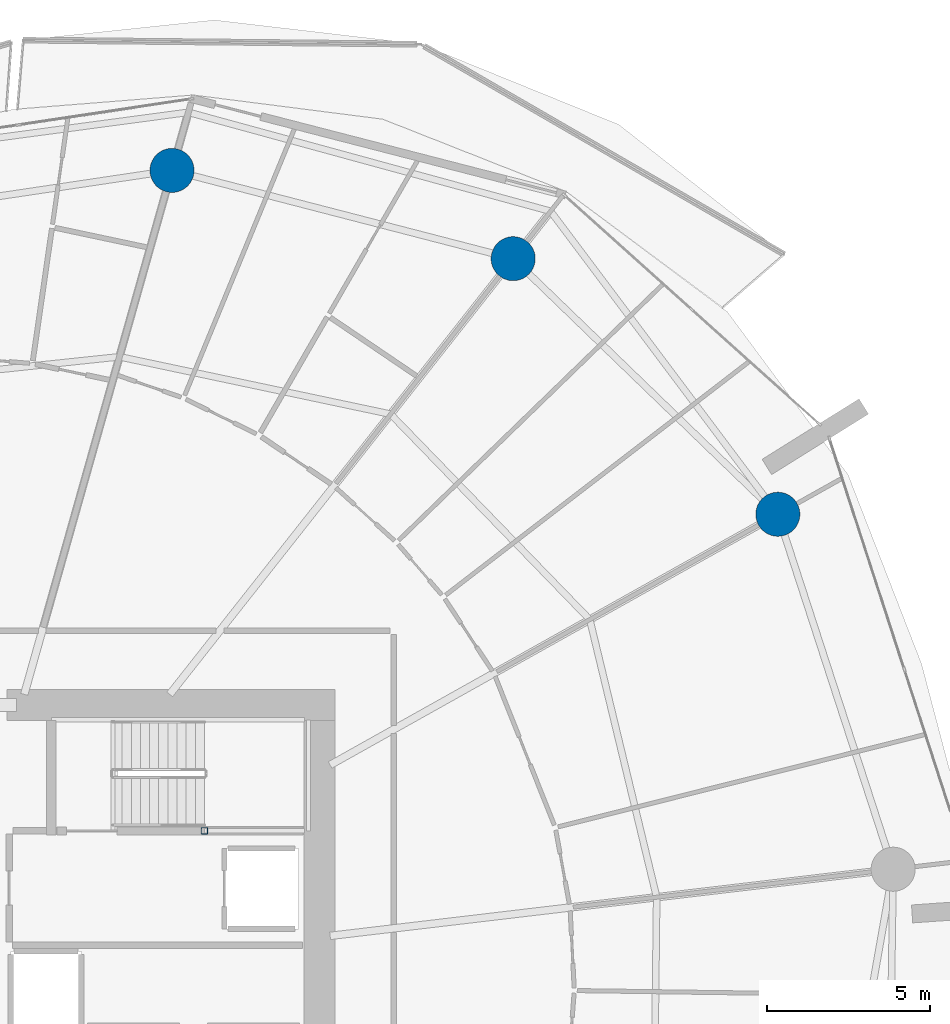
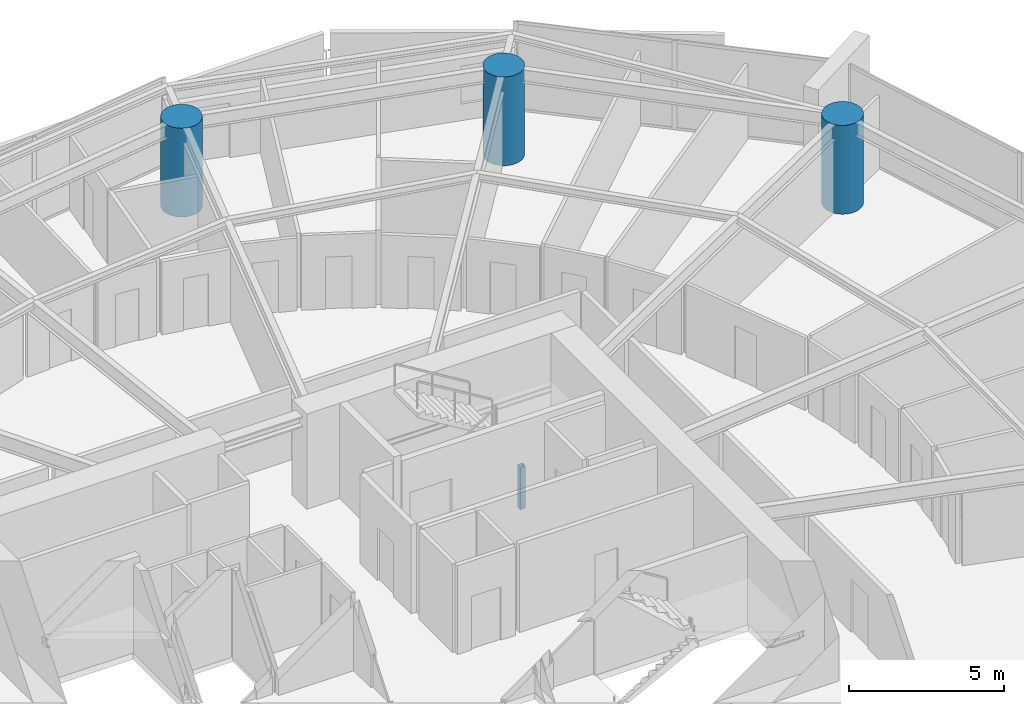
# One storey, part 5 of 31: 4 columns.
"""IFC4 building model written with IfcOpenShell, lengths in metres."""

import ifcopenshell
import ifcopenshell.guid

model = None  # the IFC model being written
_history = None  # IfcOwnerHistory: only IFC2X3 demands one
_inside = {}  # id of a spatial element -> (the spatial element, [elements in it])
_under = {}  # id of a project, library or spatial element -> (it, [spatial elements below it])
_declared = {}  # id of a project -> (the project, [libraries it declares])
_typed = {}  # id of a type object -> (the type object, [elements of that type])
_made_of = {}  # id of a material, layer set ... -> (it, [elements and type objects made of it])


def new_model(schema):
    """Start an empty IFC model of exactly this schema.

    Asked for "IFC4X3", IfcOpenShell would pick the latest addendum, in which some entities
    have other attributes; the version numbers below select the first issue.
    IFC2X3 requires an IfcOwnerHistory on every rooted entity: one is made here for all.
    """
    global model, _history
    if schema == "IFC4X3":
        model = ifcopenshell.file(schema_version=(4, 3, 0, 0))
    else:
        model = ifcopenshell.file(schema=schema)
    _inside.clear()
    _under.clear()
    _declared.clear()
    _typed.clear()
    _made_of.clear()
    _history = None
    if model.schema == "IFC2X3":
        org = make("IfcOrganization", Name="unknown")
        user = make(
            "IfcPersonAndOrganization",
            ThePerson=make("IfcPerson", FamilyName="unknown"),
            TheOrganization=org,
        )
        app = make(
            "IfcApplication",
            ApplicationDeveloper=org,
            Version="unknown",
            ApplicationFullName="unknown",
            ApplicationIdentifier="unknown",
        )
        _history = make(
            "IfcOwnerHistory",
            OwningUser=user,
            OwningApplication=app,
            ChangeAction="ADDED",
            CreationDate=0,
        )
    return model


def make(cls, **values):
    """One entity of the class cls with the attributes given. An attribute that is None is left unset."""
    return model.create_entity(
        cls, **{name: value for name, value in values.items() if value is not None}
    )


def rooted(cls, **values):
    """An entity with a GlobalId (a new one), such as an element, a storey or a relation."""
    return make(cls, GlobalId=ifcopenshell.guid.new(), OwnerHistory=_history, **values)


def si_unit(unit_type, name, prefix=None):
    """IfcSIUnit, for example si_unit("LENGTHUNIT", "METRE", prefix="MILLI")."""
    return make("IfcSIUnit", UnitType=unit_type, Prefix=prefix, Name=name)


def assignment(units):
    """IfcUnitAssignment: the units of a project."""
    return None if units is None else make("IfcUnitAssignment", Units=units)


def point(xyz):
    """IfcCartesianPoint."""
    return None if xyz is None else make("IfcCartesianPoint", Coordinates=xyz)


def direction(xyz):
    """IfcDirection."""
    return None if xyz is None else make("IfcDirection", DirectionRatios=xyz)


def frame(location, z_axis=None, x_axis=None):
    """IfcAxis2Placement3D, a coordinate frame: its origin and axes. An axis left out is left unset."""
    return make(
        "IfcAxis2Placement3D",
        Location=point(location),
        Axis=direction(z_axis),
        RefDirection=direction(x_axis),
    )


def frame_2d(location, x_axis=None):
    """IfcAxis2Placement2D, a coordinate frame in the plane: its origin and x axis."""
    return make(
        "IfcAxis2Placement2D", Location=point(location), RefDirection=direction(x_axis)
    )


def origin():
    """The frame at (0, 0, 0) with its axes left unset."""
    return frame((0.0, 0.0, 0.0))


def origin_2d():
    """The frame at (0, 0) in the plane with its x axis left unset."""
    return frame_2d((0.0, 0.0))


def place(relative_to, where):
    """IfcLocalPlacement: puts the frame where relative to a parent placement (None: the world)."""
    return make(
        "IfcLocalPlacement", PlacementRelTo=relative_to, RelativePlacement=where
    )


def context(
    kind, dimensions, precision=None, world=None, true_north=None, identifier=None
):
    """IfcGeometricRepresentationContext, for example the 3D "Model" context."""
    return make(
        "IfcGeometricRepresentationContext",
        ContextIdentifier=identifier,
        ContextType=kind,
        CoordinateSpaceDimension=dimensions,
        Precision=precision,
        WorldCoordinateSystem=world,
        TrueNorth=true_north,
    )


def subcontext(parent, identifier, kind, view, scale=None):
    """IfcGeometricRepresentationSubContext, for example "Body" below "Model"."""
    return make(
        "IfcGeometricRepresentationSubContext",
        ContextIdentifier=identifier,
        ContextType=kind,
        ParentContext=parent,
        TargetScale=scale,
        TargetView=view,
    )


def project(units=None, contexts=None):
    """IfcProject with its units and contexts."""
    return rooted(
        "IfcProject",
        Name="project",
        RepresentationContexts=contexts,
        UnitsInContext=assignment(units),
    )


def spatial(cls, under=None, at=None, **own):
    """A site, building, storey or space (cls), placed at a placement, below another one or the project."""
    s = rooted(cls, ObjectPlacement=at, **own)
    if under is not None:
        _under.setdefault(under.id(), (under, []))[1].append(s)
    return s


def profile(cls, at=None, kind="AREA", **sizes):
    """A parametric profile (cls). Its sizes go by their IFC names, for example OverallWidth=200.0."""
    return make(cls, ProfileType=kind, Position=at, **sizes)


def hollow_rectangle(**sizes):
    """IfcRectangleHollowProfileDef."""
    return profile("IfcRectangleHollowProfileDef", **sizes)


def circle(**sizes):
    """IfcCircleProfileDef."""
    return profile("IfcCircleProfileDef", **sizes)


def extrude(swept, where, along, depth):
    """IfcExtrudedAreaSolid: the profile swept, set in the frame where, extruded along a direction by depth."""
    return make(
        "IfcExtrudedAreaSolid",
        SweptArea=swept,
        Position=where,
        ExtrudedDirection=direction(along),
        Depth=depth,
    )


def shape(context_of_items, identifier, shape_type, items):
    """IfcShapeRepresentation: the items that make up one representation, for example the "Body"."""
    return make(
        "IfcShapeRepresentation",
        ContextOfItems=context_of_items,
        RepresentationIdentifier=identifier,
        RepresentationType=shape_type,
        Items=items,
    )


def material(Name=None, Category=None):
    """IfcMaterial."""
    return make("IfcMaterial", Name=Name, Category=Category)


def material_profile(
    of_material, cross_section, Name=None, Category=None, Priority=None
):
    """IfcMaterialProfile: a cross section and its material."""
    return make(
        "IfcMaterialProfile",
        Name=Name,
        Material=of_material,
        Profile=cross_section,
        Priority=Priority,
        Category=Category,
    )


def profile_set(profiles, Name=None, composite=None):
    """IfcMaterialProfileSet."""
    return make(
        "IfcMaterialProfileSet",
        Name=Name,
        MaterialProfiles=profiles,
        CompositeProfile=composite,
    )


def made_of(thing, what):
    """Note that an element or type object is made of a material, layer set ...; save() writes the relation."""
    if what is not None:
        _made_of.setdefault(what.id(), (what, []))[1].append(thing)
    return thing


def type_object(cls, material=None, **own):
    """A type object (cls), such as IfcWallType, which elements share."""
    return made_of(rooted(cls, **own), material)


def element(
    cls,
    number,
    at=None,
    inside=None,
    cuts=None,
    type_object=None,
    material=None,
    context=None,
    identifier="Body",
    shape_type=None,
    held_by="IfcProductDefinitionShape",
    body=None,
    shapes=None,
    **own,
):
    """One element of the class cls, such as IfcWall. Its Tag is "e" and its number.

    at: its placement. inside: the storey or other place that contains it. cuts: it is an
    opening in that element (IfcRelVoidsElement). A single representation is given by context,
    identifier, shape_type and body (its items); several are given by shapes. held_by: the class
    of the entity that holds the representations. save() writes the other relations.
    """
    e = rooted(cls, Tag="e%d" % number, ObjectPlacement=at, **own)
    if body is not None:
        shapes = [shape(context, identifier, shape_type, body)]
    if shapes is not None:
        e.Representation = make(held_by, Representations=shapes)
    if inside is not None:
        _inside.setdefault(inside.id(), (inside, []))[1].append(e)
    if cuts is not None:
        rooted(
            "IfcRelVoidsElement", RelatingBuildingElement=cuts, RelatedOpeningElement=e
        )
    if type_object is not None:
        _typed.setdefault(type_object.id(), (type_object, []))[1].append(e)
    return made_of(e, material)


def aggregate(whole, parts):
    """IfcRelAggregates: a whole, such as a stair, and the parts it consists of."""
    return rooted("IfcRelAggregates", RelatingObject=whole, RelatedObjects=parts)


def save(model, path):
    """Write the relations noted so far, then the file.

    IfcRelAggregates (storeys below a building ...), IfcRelContainedInSpatialStructure (elements
    in a storey), IfcRelDefinesByType, IfcRelAssociatesMaterial and IfcRelDeclares: one each for
    every whole, place, type object, material and project.
    """
    for whole, parts in _under.values():
        aggregate(whole, parts)
    for where, things in _inside.values():
        rooted(
            "IfcRelContainedInSpatialStructure",
            RelatedElements=things,
            RelatingStructure=where,
        )
    for kind, things in _typed.values():
        rooted("IfcRelDefinesByType", RelatedObjects=things, RelatingType=kind)
    for what, things in _made_of.values():
        rooted("IfcRelAssociatesMaterial", RelatedObjects=things, RelatingMaterial=what)
    for by, libraries in _declared.values():
        rooted("IfcRelDeclares", RelatingContext=by, RelatedDefinitions=libraries)
    model.write(path)


model = new_model("IFC4")

# Units and contexts
model_context = context("Model", 3, precision=1e-05, world=origin(), true_north=direction((0.0, 1.0)))
body_context = subcontext(model_context, "Body", "Model", "MODEL_VIEW")
ifc_project = project(units=[si_unit("LENGTHUNIT", "METRE"), si_unit("AREAUNIT", "SQUARE_METRE"), si_unit("VOLUMEUNIT", "CUBIC_METRE"), si_unit("PLANEANGLEUNIT", "RADIAN"), si_unit("MASSUNIT", "GRAM", prefix="KILO")], contexts=[model_context])

# Site, building, storey
site_placement = place(None, origin())
site = spatial("IfcSite", under=ifc_project, at=site_placement, CompositionType="ELEMENT")
building_placement = place(site_placement, origin())
building = spatial("IfcBuilding", under=site, at=building_placement, Name="Kazma Halo Residences", CompositionType="ELEMENT")
storey_placement = place(building_placement, frame((0.0, 0.0, 41.39990234375)))
storey = spatial("IfcBuildingStorey", under=building, at=storey_placement, Name="L09", CompositionType="ELEMENT", Elevation=41.39990234375)

# Columns
ifc_material_1 = material(Name="Steel S355", Category="steel")
ifc_material_profile_1 = material_profile(ifc_material_1, hollow_rectangle(XDim=0.199951171875, YDim=0.199951171875, WallThickness=0.010009765625, InnerFilletRadius=0.010009765625, OuterFilletRadius=0.02001953125, at=origin_2d()), Name="SHS200x200x10")
ifc_profile_set_1 = profile_set([ifc_material_profile_1], Name="Steel S355")
column_type_1 = type_object("IfcColumnType", Name="COL-LP-SHS200", PredefinedType="COLUMN", material=ifc_profile_set_1)
column_placement = place(storey_placement, frame((56.0, 46.6201171875, 0.0), z_axis=(0.0, 0.0, 1.0), x_axis=(1.0, 0.0, 0.0)))
element("IfcColumn", 1, at=column_placement, inside=storey, type_object=column_type_1, Name="L09 ST-02 landing pilaster 1", PredefinedType="COLUMN", context=body_context, shape_type="SweptSolid", body=[
    extrude(hollow_rectangle(XDim=0.199951171875, YDim=0.199951171875, WallThickness=0.010009765625, InnerFilletRadius=0.010009765625, OuterFilletRadius=0.02001953125, at=origin_2d()), origin(), (0.0, 0.0, 1.0), 1.670166015625),
])
ifc_material_2 = material(Name="Concrete C80/95", Category="concrete")
ifc_material_profile_2 = material_profile(ifc_material_2, circle(Radius=0.675048828125, at=origin_2d()), Name="CIRC1350")
ifc_profile_set_2 = profile_set([ifc_material_profile_2], Name="Concrete C80/95")
column_type_2 = type_object("IfcColumnType", Name="COL-PERIM-1350", PredefinedType="COLUMN", material=ifc_profile_set_2)
for number, where, z_axis, x_axis, name in (
    (2, (73.56494140625, 56.317138671875, 0.0), (0.0, 0.0, 1.0), (1.0, 0.0, 0.0), "L09 perimeter ring column P01"),
    (3, (65.458251953125, 64.145751953125, 0.0), (0.0, 0.0, 1.0), (1.0, 0.0, 0.0), "L09 perimeter ring column P02"),
    (4, (55.00830078125, 66.849365234375, 0.0), (0.0, 0.0, 1.0), (1.0, 0.0, 0.0), "L09 perimeter ring column P03"),
):
    element("IfcColumn", number, at=place(storey_placement, frame(where, z_axis=z_axis, x_axis=x_axis)), inside=storey, type_object=column_type_2, Name=name, PredefinedType="COLUMN", context=body_context, shape_type="SweptSolid", body=[
        extrude(circle(Radius=0.675048828125, at=origin_2d()), origin(), (0.0, 0.0, 1.0), 3.5),
    ])

save(model, "model.ifc")
